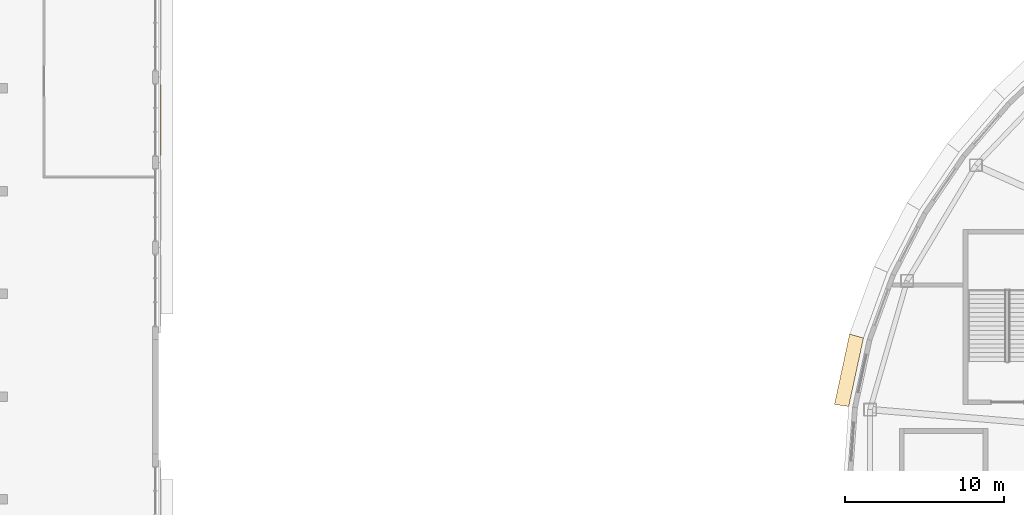
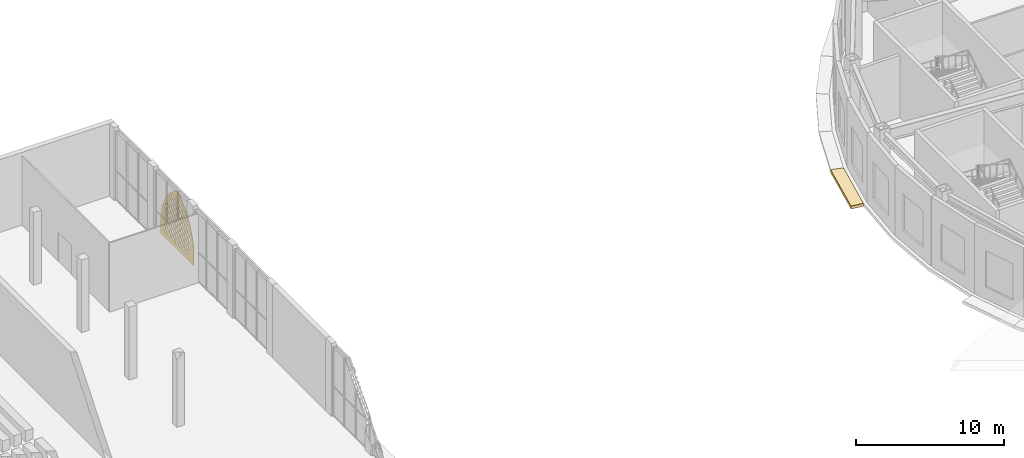
# One storey, part 44 of 74: 2 coverings.
"""IFC4 building model written with IfcOpenShell, lengths in metres."""

from ifc_helpers import new_model, si_unit, direction, frame, origin, place, context, subcontext, project, spatial, polyline, outline, extrude, material, layer, layer_set, type_object, element, save


model = new_model("IFC4")

# Units and contexts
model_context = context("Model", 3, precision=1e-05, world=origin(), true_north=direction((0.0, 1.0)))
body_context = subcontext(model_context, "Body", "Model", "MODEL_VIEW")
ifc_project = project(units=[si_unit("LENGTHUNIT", "METRE"), si_unit("AREAUNIT", "SQUARE_METRE"), si_unit("VOLUMEUNIT", "CUBIC_METRE"), si_unit("PLANEANGLEUNIT", "RADIAN"), si_unit("MASSUNIT", "GRAM", prefix="KILO")], contexts=[model_context])

# Site, building, storey
site_placement = place(None, origin())
site = spatial("IfcSite", under=ifc_project, at=site_placement, CompositionType="ELEMENT")
building_placement = place(site_placement, origin())
building = spatial("IfcBuilding", under=site, at=building_placement, Name="Noorbagh Ring Tower", CompositionType="ELEMENT")
storey_placement = place(building_placement, frame((0.0, 0.0, 7.5)))
storey = spatial("IfcBuildingStorey", under=building, at=storey_placement, Name="L01", CompositionType="ELEMENT", Elevation=7.5)

# Coverings
ifc_material_1 = material(Name="Red sandstone jali", Category="masonry")
ifc_layer = layer(ifc_material_1, 0.0400390625)
ifc_layer_set = layer_set([ifc_layer], Name="Red sandstone jali")
covering_type_1 = type_object("IfcCoveringType", Name="STH-JALI", PredefinedType="USERDEFINED", material=ifc_layer_set)
covering_1_placement = place(storey_placement, frame((-94.840087890625, 20.14990234375, 0.39990234375), z_axis=(1.0, 0.0, 0.0), x_axis=(0.0, 1.0, 0.0)))
element("IfcCovering", 1, at=covering_1_placement, inside=storey, type_object=covering_type_1, Name="Jali screen", ObjectType="SCREEN", PredefinedType="USERDEFINED", context=body_context, shape_type="SweptSolid", body=[
    extrude(outline(polyline([(0.0, 0.0), (4.4501953125, 0.0), (4.4501953125, 1.0), (4.412109375, 1.580810546875), (4.298583984375, 2.15185546875), (4.111328125, 2.702880859375), (3.85400390625, 3.22509765625), (3.530517578125, 3.708984375), (3.146728515625, 4.146728515625), (2.708984375, 4.530517578125), (2.22509765625, 4.85400390625), (1.7412109375, 4.530517578125), (1.303466796875, 4.146728515625), (0.919677734375, 3.708984375), (0.59619140625, 3.22509765625), (0.3388671875, 2.702880859375), (0.151611328125, 2.15185546875), (0.0380859375, 1.580810546875), (0.0, 1.0), (0.0, 0.0)]), holes=[polyline([(0.669921875, 0.552001953125), (0.85009765625, 0.371826171875), (1.030029296875, 0.552001953125), (0.85009765625, 0.73193359375), (0.669921875, 0.552001953125)]), polyline([(1.169921875, 0.552001953125), (1.35009765625, 0.371826171875), (1.530029296875, 0.552001953125), (1.35009765625, 0.73193359375), (1.169921875, 0.552001953125)]), polyline([(1.669921875, 0.552001953125), (1.85009765625, 0.371826171875), (2.030029296875, 0.552001953125), (1.85009765625, 0.73193359375), (1.669921875, 0.552001953125)]), polyline([(2.169921875, 0.552001953125), (2.35009765625, 0.371826171875), (2.530029296875, 0.552001953125), (2.35009765625, 0.73193359375), (2.169921875, 0.552001953125)]), polyline([(2.669921875, 0.552001953125), (2.85009765625, 0.371826171875), (3.030029296875, 0.552001953125), (2.85009765625, 0.73193359375), (2.669921875, 0.552001953125)]), polyline([(3.169921875, 0.552001953125), (3.35009765625, 0.371826171875), (3.530029296875, 0.552001953125), (3.35009765625, 0.73193359375), (3.169921875, 0.552001953125)]), polyline([(3.669921875, 0.552001953125), (3.85009765625, 0.371826171875), (4.030029296875, 0.552001953125), (3.85009765625, 0.73193359375), (3.669921875, 0.552001953125)]), polyline([(0.419921875, 0.802001953125), (0.60009765625, 0.621826171875), (0.780029296875, 0.802001953125), (0.60009765625, 0.98193359375), (0.419921875, 0.802001953125)]), polyline([(0.919921875, 0.802001953125), (1.10009765625, 0.621826171875), (1.280029296875, 0.802001953125), (1.10009765625, 0.98193359375), (0.919921875, 0.802001953125)]), polyline([(1.419921875, 0.802001953125), (1.60009765625, 0.621826171875), (1.780029296875, 0.802001953125), (1.60009765625, 0.98193359375), (1.419921875, 0.802001953125)]), polyline([(1.919921875, 0.802001953125), (2.10009765625, 0.621826171875), (2.280029296875, 0.802001953125), (2.10009765625, 0.98193359375), (1.919921875, 0.802001953125)]), polyline([(2.419921875, 0.802001953125), (2.60009765625, 0.621826171875), (2.780029296875, 0.802001953125), (2.60009765625, 0.98193359375), (2.419921875, 0.802001953125)]), polyline([(2.919921875, 0.802001953125), (3.10009765625, 0.621826171875), (3.280029296875, 0.802001953125), (3.10009765625, 0.98193359375), (2.919921875, 0.802001953125)]), polyline([(3.419921875, 0.802001953125), (3.60009765625, 0.621826171875), (3.780029296875, 0.802001953125), (3.60009765625, 0.98193359375), (3.419921875, 0.802001953125)]), polyline([(0.669921875, 1.052001953125), (0.85009765625, 0.871826171875), (1.030029296875, 1.052001953125), (0.85009765625, 1.23193359375), (0.669921875, 1.052001953125)]), polyline([(1.169921875, 1.052001953125), (1.35009765625, 0.871826171875), (1.530029296875, 1.052001953125), (1.35009765625, 1.23193359375), (1.169921875, 1.052001953125)]), polyline([(1.669921875, 1.052001953125), (1.85009765625, 0.871826171875), (2.030029296875, 1.052001953125), (1.85009765625, 1.23193359375), (1.669921875, 1.052001953125)]), polyline([(2.169921875, 1.052001953125), (2.35009765625, 0.871826171875), (2.530029296875, 1.052001953125), (2.35009765625, 1.23193359375), (2.169921875, 1.052001953125)]), polyline([(2.669921875, 1.052001953125), (2.85009765625, 0.871826171875), (3.030029296875, 1.052001953125), (2.85009765625, 1.23193359375), (2.669921875, 1.052001953125)]), polyline([(3.169921875, 1.052001953125), (3.35009765625, 0.871826171875), (3.530029296875, 1.052001953125), (3.35009765625, 1.23193359375), (3.169921875, 1.052001953125)]), polyline([(3.669921875, 1.052001953125), (3.85009765625, 0.871826171875), (4.030029296875, 1.052001953125), (3.85009765625, 1.23193359375), (3.669921875, 1.052001953125)]), polyline([(0.419921875, 1.302001953125), (0.60009765625, 1.121826171875), (0.780029296875, 1.302001953125), (0.60009765625, 1.48193359375), (0.419921875, 1.302001953125)]), polyline([(0.919921875, 1.302001953125), (1.10009765625, 1.121826171875), (1.280029296875, 1.302001953125), (1.10009765625, 1.48193359375), (0.919921875, 1.302001953125)]), polyline([(1.419921875, 1.302001953125), (1.60009765625, 1.121826171875), (1.780029296875, 1.302001953125), (1.60009765625, 1.48193359375), (1.419921875, 1.302001953125)]), polyline([(1.919921875, 1.302001953125), (2.10009765625, 1.121826171875), (2.280029296875, 1.302001953125), (2.10009765625, 1.48193359375), (1.919921875, 1.302001953125)]), polyline([(2.419921875, 1.302001953125), (2.60009765625, 1.121826171875), (2.780029296875, 1.302001953125), (2.60009765625, 1.48193359375), (2.419921875, 1.302001953125)]), polyline([(2.919921875, 1.302001953125), (3.10009765625, 1.121826171875), (3.280029296875, 1.302001953125), (3.10009765625, 1.48193359375), (2.919921875, 1.302001953125)]), polyline([(3.419921875, 1.302001953125), (3.60009765625, 1.121826171875), (3.780029296875, 1.302001953125), (3.60009765625, 1.48193359375), (3.419921875, 1.302001953125)]), polyline([(0.669921875, 1.552001953125), (0.85009765625, 1.371826171875), (1.030029296875, 1.552001953125), (0.85009765625, 1.73193359375), (0.669921875, 1.552001953125)]), polyline([(1.169921875, 1.552001953125), (1.35009765625, 1.371826171875), (1.530029296875, 1.552001953125), (1.35009765625, 1.73193359375), (1.169921875, 1.552001953125)]), polyline([(1.669921875, 1.552001953125), (1.85009765625, 1.371826171875), (2.030029296875, 1.552001953125), (1.85009765625, 1.73193359375), (1.669921875, 1.552001953125)]), polyline([(2.169921875, 1.552001953125), (2.35009765625, 1.371826171875), (2.530029296875, 1.552001953125), (2.35009765625, 1.73193359375), (2.169921875, 1.552001953125)]), polyline([(2.669921875, 1.552001953125), (2.85009765625, 1.371826171875), (3.030029296875, 1.552001953125), (2.85009765625, 1.73193359375), (2.669921875, 1.552001953125)]), polyline([(3.169921875, 1.552001953125), (3.35009765625, 1.371826171875), (3.530029296875, 1.552001953125), (3.35009765625, 1.73193359375), (3.169921875, 1.552001953125)]), polyline([(3.669921875, 1.552001953125), (3.85009765625, 1.371826171875), (4.030029296875, 1.552001953125), (3.85009765625, 1.73193359375), (3.669921875, 1.552001953125)]), polyline([(0.419921875, 1.802001953125), (0.60009765625, 1.621826171875), (0.780029296875, 1.802001953125), (0.60009765625, 1.98193359375), (0.419921875, 1.802001953125)]), polyline([(0.919921875, 1.802001953125), (1.10009765625, 1.621826171875), (1.280029296875, 1.802001953125), (1.10009765625, 1.98193359375), (0.919921875, 1.802001953125)]), polyline([(1.419921875, 1.802001953125), (1.60009765625, 1.621826171875), (1.780029296875, 1.802001953125), (1.60009765625, 1.98193359375), (1.419921875, 1.802001953125)]), polyline([(1.919921875, 1.802001953125), (2.10009765625, 1.621826171875), (2.280029296875, 1.802001953125), (2.10009765625, 1.98193359375), (1.919921875, 1.802001953125)]), polyline([(2.419921875, 1.802001953125), (2.60009765625, 1.621826171875), (2.780029296875, 1.802001953125), (2.60009765625, 1.98193359375), (2.419921875, 1.802001953125)]), polyline([(2.919921875, 1.802001953125), (3.10009765625, 1.621826171875), (3.280029296875, 1.802001953125), (3.10009765625, 1.98193359375), (2.919921875, 1.802001953125)]), polyline([(3.419921875, 1.802001953125), (3.60009765625, 1.621826171875), (3.780029296875, 1.802001953125), (3.60009765625, 1.98193359375), (3.419921875, 1.802001953125)]), polyline([(0.669921875, 2.052001953125), (0.85009765625, 1.871826171875), (1.030029296875, 2.052001953125), (0.85009765625, 2.23193359375), (0.669921875, 2.052001953125)]), polyline([(1.169921875, 2.052001953125), (1.35009765625, 1.871826171875), (1.530029296875, 2.052001953125), (1.35009765625, 2.23193359375), (1.169921875, 2.052001953125)]), polyline([(1.669921875, 2.052001953125), (1.85009765625, 1.871826171875), (2.030029296875, 2.052001953125), (1.85009765625, 2.23193359375), (1.669921875, 2.052001953125)]), polyline([(2.169921875, 2.052001953125), (2.35009765625, 1.871826171875), (2.530029296875, 2.052001953125), (2.35009765625, 2.23193359375), (2.169921875, 2.052001953125)]), polyline([(2.669921875, 2.052001953125), (2.85009765625, 1.871826171875), (3.030029296875, 2.052001953125), (2.85009765625, 2.23193359375), (2.669921875, 2.052001953125)]), polyline([(3.169921875, 2.052001953125), (3.35009765625, 1.871826171875), (3.530029296875, 2.052001953125), (3.35009765625, 2.23193359375), (3.169921875, 2.052001953125)]), polyline([(3.669921875, 2.052001953125), (3.85009765625, 1.871826171875), (4.030029296875, 2.052001953125), (3.85009765625, 2.23193359375), (3.669921875, 2.052001953125)]), polyline([(0.419921875, 2.302001953125), (0.60009765625, 2.121826171875), (0.780029296875, 2.302001953125), (0.60009765625, 2.48193359375), (0.419921875, 2.302001953125)]), polyline([(0.919921875, 2.302001953125), (1.10009765625, 2.121826171875), (1.280029296875, 2.302001953125), (1.10009765625, 2.48193359375), (0.919921875, 2.302001953125)]), polyline([(1.419921875, 2.302001953125), (1.60009765625, 2.121826171875), (1.780029296875, 2.302001953125), (1.60009765625, 2.48193359375), (1.419921875, 2.302001953125)]), polyline([(1.919921875, 2.302001953125), (2.10009765625, 2.121826171875), (2.280029296875, 2.302001953125), (2.10009765625, 2.48193359375), (1.919921875, 2.302001953125)]), polyline([(2.419921875, 2.302001953125), (2.60009765625, 2.121826171875), (2.780029296875, 2.302001953125), (2.60009765625, 2.48193359375), (2.419921875, 2.302001953125)]), polyline([(2.919921875, 2.302001953125), (3.10009765625, 2.121826171875), (3.280029296875, 2.302001953125), (3.10009765625, 2.48193359375), (2.919921875, 2.302001953125)]), polyline([(3.419921875, 2.302001953125), (3.60009765625, 2.121826171875), (3.780029296875, 2.302001953125), (3.60009765625, 2.48193359375), (3.419921875, 2.302001953125)]), polyline([(0.669921875, 2.552001953125), (0.85009765625, 2.371826171875), (1.030029296875, 2.552001953125), (0.85009765625, 2.73193359375), (0.669921875, 2.552001953125)]), polyline([(1.169921875, 2.552001953125), (1.35009765625, 2.371826171875), (1.530029296875, 2.552001953125), (1.35009765625, 2.73193359375), (1.169921875, 2.552001953125)]), polyline([(1.669921875, 2.552001953125), (1.85009765625, 2.371826171875), (2.030029296875, 2.552001953125), (1.85009765625, 2.73193359375), (1.669921875, 2.552001953125)]), polyline([(2.169921875, 2.552001953125), (2.35009765625, 2.371826171875), (2.530029296875, 2.552001953125), (2.35009765625, 2.73193359375), (2.169921875, 2.552001953125)]), polyline([(2.669921875, 2.552001953125), (2.85009765625, 2.371826171875), (3.030029296875, 2.552001953125), (2.85009765625, 2.73193359375), (2.669921875, 2.552001953125)]), polyline([(3.169921875, 2.552001953125), (3.35009765625, 2.371826171875), (3.530029296875, 2.552001953125), (3.35009765625, 2.73193359375), (3.169921875, 2.552001953125)]), polyline([(3.669921875, 2.552001953125), (3.85009765625, 2.371826171875), (4.030029296875, 2.552001953125), (3.85009765625, 2.73193359375), (3.669921875, 2.552001953125)]), polyline([(0.919921875, 2.802001953125), (1.10009765625, 2.621826171875), (1.280029296875, 2.802001953125), (1.10009765625, 2.98193359375), (0.919921875, 2.802001953125)]), polyline([(1.419921875, 2.802001953125), (1.60009765625, 2.621826171875), (1.780029296875, 2.802001953125), (1.60009765625, 2.98193359375), (1.419921875, 2.802001953125)]), polyline([(1.919921875, 2.802001953125), (2.10009765625, 2.621826171875), (2.280029296875, 2.802001953125), (2.10009765625, 2.98193359375), (1.919921875, 2.802001953125)]), polyline([(2.419921875, 2.802001953125), (2.60009765625, 2.621826171875), (2.780029296875, 2.802001953125), (2.60009765625, 2.98193359375), (2.419921875, 2.802001953125)]), polyline([(2.919921875, 2.802001953125), (3.10009765625, 2.621826171875), (3.280029296875, 2.802001953125), (3.10009765625, 2.98193359375), (2.919921875, 2.802001953125)]), polyline([(3.419921875, 2.802001953125), (3.60009765625, 2.621826171875), (3.780029296875, 2.802001953125), (3.60009765625, 2.98193359375), (3.419921875, 2.802001953125)]), polyline([(0.669921875, 3.052001953125), (0.85009765625, 2.871826171875), (1.030029296875, 3.052001953125), (0.85009765625, 3.23193359375), (0.669921875, 3.052001953125)]), polyline([(1.169921875, 3.052001953125), (1.35009765625, 2.871826171875), (1.530029296875, 3.052001953125), (1.35009765625, 3.23193359375), (1.169921875, 3.052001953125)]), polyline([(1.669921875, 3.052001953125), (1.85009765625, 2.871826171875), (2.030029296875, 3.052001953125), (1.85009765625, 3.23193359375), (1.669921875, 3.052001953125)]), polyline([(2.169921875, 3.052001953125), (2.35009765625, 2.871826171875), (2.530029296875, 3.052001953125), (2.35009765625, 3.23193359375), (2.169921875, 3.052001953125)]), polyline([(2.669921875, 3.052001953125), (2.85009765625, 2.871826171875), (3.030029296875, 3.052001953125), (2.85009765625, 3.23193359375), (2.669921875, 3.052001953125)]), polyline([(3.169921875, 3.052001953125), (3.35009765625, 2.871826171875), (3.530029296875, 3.052001953125), (3.35009765625, 3.23193359375), (3.169921875, 3.052001953125)]), polyline([(0.919921875, 3.302001953125), (1.10009765625, 3.121826171875), (1.280029296875, 3.302001953125), (1.10009765625, 3.48193359375), (0.919921875, 3.302001953125)]), polyline([(1.419921875, 3.302001953125), (1.60009765625, 3.121826171875), (1.780029296875, 3.302001953125), (1.60009765625, 3.48193359375), (1.419921875, 3.302001953125)]), polyline([(1.919921875, 3.302001953125), (2.10009765625, 3.121826171875), (2.280029296875, 3.302001953125), (2.10009765625, 3.48193359375), (1.919921875, 3.302001953125)]), polyline([(2.419921875, 3.302001953125), (2.60009765625, 3.121826171875), (2.780029296875, 3.302001953125), (2.60009765625, 3.48193359375), (2.419921875, 3.302001953125)]), polyline([(2.919921875, 3.302001953125), (3.10009765625, 3.121826171875), (3.280029296875, 3.302001953125), (3.10009765625, 3.48193359375), (2.919921875, 3.302001953125)]), polyline([(1.169921875, 3.552001953125), (1.35009765625, 3.371826171875), (1.530029296875, 3.552001953125), (1.35009765625, 3.73193359375), (1.169921875, 3.552001953125)]), polyline([(1.669921875, 3.552001953125), (1.85009765625, 3.371826171875), (2.030029296875, 3.552001953125), (1.85009765625, 3.73193359375), (1.669921875, 3.552001953125)]), polyline([(2.169921875, 3.552001953125), (2.35009765625, 3.371826171875), (2.530029296875, 3.552001953125), (2.35009765625, 3.73193359375), (2.169921875, 3.552001953125)]), polyline([(2.669921875, 3.552001953125), (2.85009765625, 3.371826171875), (3.030029296875, 3.552001953125), (2.85009765625, 3.73193359375), (2.669921875, 3.552001953125)]), polyline([(1.419921875, 3.802001953125), (1.60009765625, 3.621826171875), (1.780029296875, 3.802001953125), (1.60009765625, 3.98193359375), (1.419921875, 3.802001953125)]), polyline([(1.919921875, 3.802001953125), (2.10009765625, 3.621826171875), (2.280029296875, 3.802001953125), (2.10009765625, 3.98193359375), (1.919921875, 3.802001953125)]), polyline([(2.419921875, 3.802001953125), (2.60009765625, 3.621826171875), (2.780029296875, 3.802001953125), (2.60009765625, 3.98193359375), (2.419921875, 3.802001953125)]), polyline([(2.919921875, 3.802001953125), (3.10009765625, 3.621826171875), (3.280029296875, 3.802001953125), (3.10009765625, 3.98193359375), (2.919921875, 3.802001953125)]), polyline([(1.669921875, 4.052001953125), (1.85009765625, 3.871826171875), (2.030029296875, 4.052001953125), (1.85009765625, 4.23193359375), (1.669921875, 4.052001953125)]), polyline([(2.169921875, 4.052001953125), (2.35009765625, 3.871826171875), (2.530029296875, 4.052001953125), (2.35009765625, 4.23193359375), (2.169921875, 4.052001953125)]), polyline([(2.669921875, 4.052001953125), (2.85009765625, 3.871826171875), (3.030029296875, 4.052001953125), (2.85009765625, 4.23193359375), (2.669921875, 4.052001953125)]), polyline([(1.919921875, 4.302001953125), (2.10009765625, 4.121826171875), (2.280029296875, 4.302001953125), (2.10009765625, 4.48193359375), (1.919921875, 4.302001953125)])]), origin(), (0.0, 0.0, -1.0), 0.0400390625),
])
ifc_material_2 = material(Name="Red sandstone eave", Category="masonry")
covering_type_2 = type_object("IfcCoveringType", Name="STY-CHHAJJA", PredefinedType="USERDEFINED", material=ifc_material_2)
covering_2_placement = place(storey_placement, frame((0.0, 0.0, -0.25)))
element("IfcCovering", 2, at=covering_2_placement, inside=storey, type_object=covering_type_2, Name="Chhajja eave", ObjectType="CHHAJJA", PredefinedType="USERDEFINED", context=body_context, shape_type="SweptSolid", body=[
    extrude(outline(polyline([(-50.76123046875, 8.6787109375), (-51.68701171875, 4.383056640625), (-52.580078125, 4.510498046875), (-51.628173828125, 8.92822265625), (-50.76123046875, 8.6787109375)])), origin(), (0.0, 0.0, 1.0), 0.25),
])

save(model, "model.ifc")
